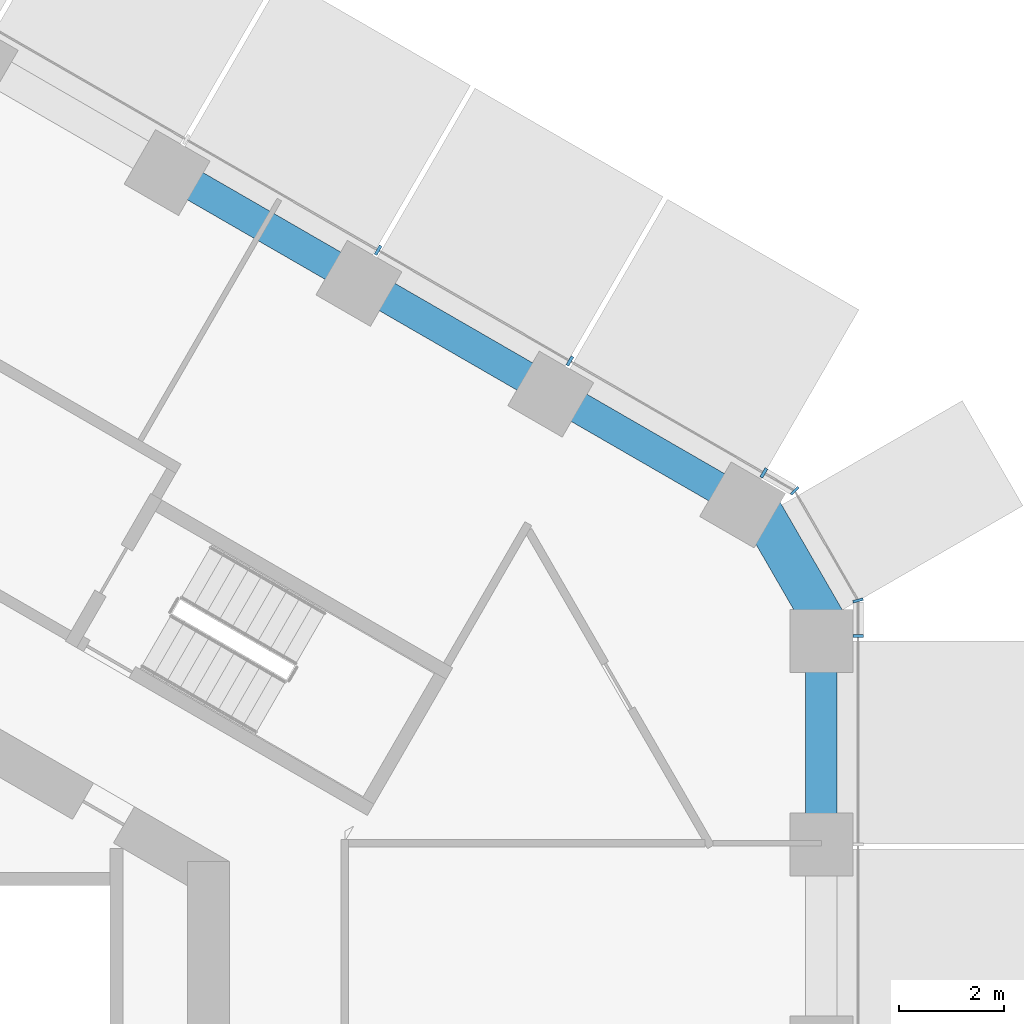
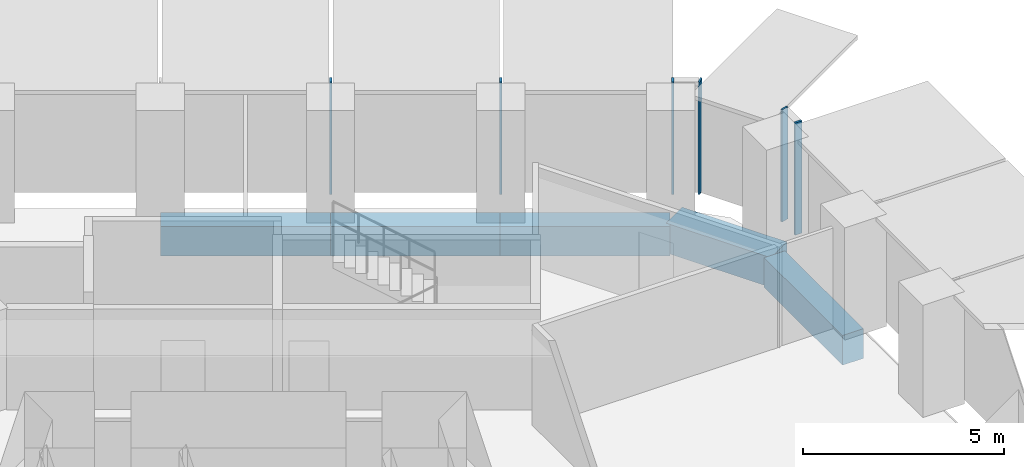
# One storey, part 6 of 19: 6 members, 5 beams, 3 elements without a shape of their own.
"""IFC4 building model written with IfcOpenShell, lengths in metres."""

import ifcopenshell
import ifcopenshell.guid

model = None  # the IFC model being written
_history = None  # IfcOwnerHistory: only IFC2X3 demands one
_inside = {}  # id of a spatial element -> (the spatial element, [elements in it])
_under = {}  # id of a project, library or spatial element -> (it, [spatial elements below it])
_declared = {}  # id of a project -> (the project, [libraries it declares])
_typed = {}  # id of a type object -> (the type object, [elements of that type])
_made_of = {}  # id of a material, layer set ... -> (it, [elements and type objects made of it])


def new_model(schema):
    """Start an empty IFC model of exactly this schema.

    Asked for "IFC4X3", IfcOpenShell would pick the latest addendum, in which some entities
    have other attributes; the version numbers below select the first issue.
    IFC2X3 requires an IfcOwnerHistory on every rooted entity: one is made here for all.
    """
    global model, _history
    if schema == "IFC4X3":
        model = ifcopenshell.file(schema_version=(4, 3, 0, 0))
    else:
        model = ifcopenshell.file(schema=schema)
    _inside.clear()
    _under.clear()
    _declared.clear()
    _typed.clear()
    _made_of.clear()
    _history = None
    if model.schema == "IFC2X3":
        org = make("IfcOrganization", Name="unknown")
        user = make(
            "IfcPersonAndOrganization",
            ThePerson=make("IfcPerson", FamilyName="unknown"),
            TheOrganization=org,
        )
        app = make(
            "IfcApplication",
            ApplicationDeveloper=org,
            Version="unknown",
            ApplicationFullName="unknown",
            ApplicationIdentifier="unknown",
        )
        _history = make(
            "IfcOwnerHistory",
            OwningUser=user,
            OwningApplication=app,
            ChangeAction="ADDED",
            CreationDate=0,
        )
    return model


def make(cls, **values):
    """One entity of the class cls with the attributes given. An attribute that is None is left unset."""
    return model.create_entity(
        cls, **{name: value for name, value in values.items() if value is not None}
    )


def rooted(cls, **values):
    """An entity with a GlobalId (a new one), such as an element, a storey or a relation."""
    return make(cls, GlobalId=ifcopenshell.guid.new(), OwnerHistory=_history, **values)


def si_unit(unit_type, name, prefix=None):
    """IfcSIUnit, for example si_unit("LENGTHUNIT", "METRE", prefix="MILLI")."""
    return make("IfcSIUnit", UnitType=unit_type, Prefix=prefix, Name=name)


def assignment(units):
    """IfcUnitAssignment: the units of a project."""
    return None if units is None else make("IfcUnitAssignment", Units=units)


def point(xyz):
    """IfcCartesianPoint."""
    return None if xyz is None else make("IfcCartesianPoint", Coordinates=xyz)


def direction(xyz):
    """IfcDirection."""
    return None if xyz is None else make("IfcDirection", DirectionRatios=xyz)


def frame(location, z_axis=None, x_axis=None):
    """IfcAxis2Placement3D, a coordinate frame: its origin and axes. An axis left out is left unset."""
    return make(
        "IfcAxis2Placement3D",
        Location=point(location),
        Axis=direction(z_axis),
        RefDirection=direction(x_axis),
    )


def frame_2d(location, x_axis=None):
    """IfcAxis2Placement2D, a coordinate frame in the plane: its origin and x axis."""
    return make(
        "IfcAxis2Placement2D", Location=point(location), RefDirection=direction(x_axis)
    )


def origin():
    """The frame at (0, 0, 0) with its axes left unset."""
    return frame((0.0, 0.0, 0.0))


def origin_2d():
    """The frame at (0, 0) in the plane with its x axis left unset."""
    return frame_2d((0.0, 0.0))


def place(relative_to, where):
    """IfcLocalPlacement: puts the frame where relative to a parent placement (None: the world)."""
    return make(
        "IfcLocalPlacement", PlacementRelTo=relative_to, RelativePlacement=where
    )


def context(
    kind, dimensions, precision=None, world=None, true_north=None, identifier=None
):
    """IfcGeometricRepresentationContext, for example the 3D "Model" context."""
    return make(
        "IfcGeometricRepresentationContext",
        ContextIdentifier=identifier,
        ContextType=kind,
        CoordinateSpaceDimension=dimensions,
        Precision=precision,
        WorldCoordinateSystem=world,
        TrueNorth=true_north,
    )


def subcontext(parent, identifier, kind, view, scale=None):
    """IfcGeometricRepresentationSubContext, for example "Body" below "Model"."""
    return make(
        "IfcGeometricRepresentationSubContext",
        ContextIdentifier=identifier,
        ContextType=kind,
        ParentContext=parent,
        TargetScale=scale,
        TargetView=view,
    )


def project(units=None, contexts=None):
    """IfcProject with its units and contexts."""
    return rooted(
        "IfcProject",
        Name="project",
        RepresentationContexts=contexts,
        UnitsInContext=assignment(units),
    )


def spatial(cls, under=None, at=None, **own):
    """A site, building, storey or space (cls), placed at a placement, below another one or the project."""
    s = rooted(cls, ObjectPlacement=at, **own)
    if under is not None:
        _under.setdefault(under.id(), (under, []))[1].append(s)
    return s


def profile(cls, at=None, kind="AREA", **sizes):
    """A parametric profile (cls). Its sizes go by their IFC names, for example OverallWidth=200.0."""
    return make(cls, ProfileType=kind, Position=at, **sizes)


def rectangle(**sizes):
    """IfcRectangleProfileDef."""
    return profile("IfcRectangleProfileDef", **sizes)


def extrude(swept, where, along, depth):
    """IfcExtrudedAreaSolid: the profile swept, set in the frame where, extruded along a direction by depth."""
    return make(
        "IfcExtrudedAreaSolid",
        SweptArea=swept,
        Position=where,
        ExtrudedDirection=direction(along),
        Depth=depth,
    )


def shape(context_of_items, identifier, shape_type, items):
    """IfcShapeRepresentation: the items that make up one representation, for example the "Body"."""
    return make(
        "IfcShapeRepresentation",
        ContextOfItems=context_of_items,
        RepresentationIdentifier=identifier,
        RepresentationType=shape_type,
        Items=items,
    )


def material(Name=None, Category=None):
    """IfcMaterial."""
    return make("IfcMaterial", Name=Name, Category=Category)


def layer(
    of_material, thickness, ventilated=None, Name=None, Category=None, Priority=None
):
    """IfcMaterialLayer: one layer of a wall or slab, of a material (None: an air gap)."""
    return make(
        "IfcMaterialLayer",
        Material=of_material,
        LayerThickness=thickness,
        IsVentilated=ventilated,
        Name=Name,
        Category=Category,
        Priority=Priority,
    )


def layer_set(layers, Name=None):
    """IfcMaterialLayerSet."""
    return make("IfcMaterialLayerSet", MaterialLayers=layers, LayerSetName=Name)


def material_profile(
    of_material, cross_section, Name=None, Category=None, Priority=None
):
    """IfcMaterialProfile: a cross section and its material."""
    return make(
        "IfcMaterialProfile",
        Name=Name,
        Material=of_material,
        Profile=cross_section,
        Priority=Priority,
        Category=Category,
    )


def profile_set(profiles, Name=None, composite=None):
    """IfcMaterialProfileSet."""
    return make(
        "IfcMaterialProfileSet",
        Name=Name,
        MaterialProfiles=profiles,
        CompositeProfile=composite,
    )


def made_of(thing, what):
    """Note that an element or type object is made of a material, layer set ...; save() writes the relation."""
    if what is not None:
        _made_of.setdefault(what.id(), (what, []))[1].append(thing)
    return thing


def type_object(cls, material=None, **own):
    """A type object (cls), such as IfcWallType, which elements share."""
    return made_of(rooted(cls, **own), material)


def element(
    cls,
    number,
    at=None,
    inside=None,
    cuts=None,
    type_object=None,
    material=None,
    context=None,
    identifier="Body",
    shape_type=None,
    held_by="IfcProductDefinitionShape",
    body=None,
    shapes=None,
    **own,
):
    """One element of the class cls, such as IfcWall. Its Tag is "e" and its number.

    at: its placement. inside: the storey or other place that contains it. cuts: it is an
    opening in that element (IfcRelVoidsElement). A single representation is given by context,
    identifier, shape_type and body (its items); several are given by shapes. held_by: the class
    of the entity that holds the representations. save() writes the other relations.
    """
    e = rooted(cls, Tag="e%d" % number, ObjectPlacement=at, **own)
    if body is not None:
        shapes = [shape(context, identifier, shape_type, body)]
    if shapes is not None:
        e.Representation = make(held_by, Representations=shapes)
    if inside is not None:
        _inside.setdefault(inside.id(), (inside, []))[1].append(e)
    if cuts is not None:
        rooted(
            "IfcRelVoidsElement", RelatingBuildingElement=cuts, RelatedOpeningElement=e
        )
    if type_object is not None:
        _typed.setdefault(type_object.id(), (type_object, []))[1].append(e)
    return made_of(e, material)


def aggregate(whole, parts):
    """IfcRelAggregates: a whole, such as a stair, and the parts it consists of."""
    return rooted("IfcRelAggregates", RelatingObject=whole, RelatedObjects=parts)


def save(model, path):
    """Write the relations noted so far, then the file.

    IfcRelAggregates (storeys below a building ...), IfcRelContainedInSpatialStructure (elements
    in a storey), IfcRelDefinesByType, IfcRelAssociatesMaterial and IfcRelDeclares: one each for
    every whole, place, type object, material and project.
    """
    for whole, parts in _under.values():
        aggregate(whole, parts)
    for where, things in _inside.values():
        rooted(
            "IfcRelContainedInSpatialStructure",
            RelatedElements=things,
            RelatingStructure=where,
        )
    for kind, things in _typed.values():
        rooted("IfcRelDefinesByType", RelatedObjects=things, RelatingType=kind)
    for what, things in _made_of.values():
        rooted("IfcRelAssociatesMaterial", RelatedObjects=things, RelatingMaterial=what)
    for by, libraries in _declared.values():
        rooted("IfcRelDeclares", RelatingContext=by, RelatedDefinitions=libraries)
    model.write(path)


model = new_model("IFC4")

# Units and contexts
model_context = context("Model", 3, precision=1e-05, world=origin(), true_north=direction((0.0, 1.0)))
body_context = subcontext(model_context, "Body", "Model", "MODEL_VIEW")
ifc_project = project(units=[si_unit("LENGTHUNIT", "METRE"), si_unit("AREAUNIT", "SQUARE_METRE"), si_unit("VOLUMEUNIT", "CUBIC_METRE"), si_unit("PLANEANGLEUNIT", "RADIAN"), si_unit("MASSUNIT", "GRAM", prefix="KILO")], contexts=[model_context])

# Site, building, storey
site_placement = place(None, origin())
site = spatial("IfcSite", under=ifc_project, at=site_placement, CompositionType="ELEMENT")
building_placement = place(site_placement, origin())
building = spatial("IfcBuilding", under=site, at=building_placement, Name="Ayvan Gate Tower", CompositionType="ELEMENT")
storey_placement = place(building_placement, frame((0.0, 0.0, 52.699951171875)))
storey = spatial("IfcBuildingStorey", under=building, at=storey_placement, Name="L13", CompositionType="ELEMENT", Elevation=52.699951171875)

# Beams
ifc_material_1 = material(Name="Concrete C40/50", Category="concrete")
ifc_material_profile_1 = material_profile(ifc_material_1, rectangle(XDim=0.800048828125, YDim=0.89990234375, at=origin_2d()), Name="RC 800x900")
ifc_profile_set_1 = profile_set([ifc_material_profile_1], Name="Concrete C40/50")
beam_type_1 = type_object("IfcBeamType", Name="Corner spandrel beam RC 800x900 C40/50", PredefinedType="BEAM", material=ifc_profile_set_1)
beam_1_placement = place(storey_placement, frame((20.97509765625, 9.845947265625, -0.800048828125), z_axis=(-0.50002537861, 0.866010750942, 0.0), x_axis=(-0.866010750942, -0.50002537861, 0.0)))
element("IfcBeam", 1, at=beam_1_placement, inside=storey, type_object=beam_type_1, Name="SB-L13-6", PredefinedType="BEAM", context=body_context, shape_type="SweptSolid", body=[
    extrude(rectangle(XDim=0.800048828125, YDim=0.89990234375, at=origin_2d()), origin(), (0.0, 0.0, 1.0), 2.999755859375),
])
ifc_material_profile_2 = material_profile(ifc_material_1, rectangle(XDim=0.60009765625, YDim=0.89990234375, at=origin_2d()), Name="RC 600x900")
ifc_profile_set_2 = profile_set([ifc_material_profile_2], Name="Concrete C40/50")
beam_type_2 = type_object("IfcBeamType", Name="Spandrel beam RC 600x900 C40/50", PredefinedType="BEAM", material=ifc_profile_set_2)
beam_2_placement = place(storey_placement, frame((20.78466796875, 5.841552734375, -0.800048828125), z_axis=(0.0, 1.0, 0.0), x_axis=(-1.0, 0.0, 0.0)))
element("IfcBeam", 2, at=beam_2_placement, inside=storey, type_object=beam_type_2, Name="SB-L13-5", PredefinedType="BEAM", context=body_context, shape_type="SweptSolid", body=[
    extrude(rectangle(XDim=0.60009765625, YDim=0.89990234375, at=origin_2d()), origin(), (0.0, 0.0, 1.0), 3.894287109375),
])
for number, where, z_axis, x_axis, name in (
    (3, (19.28466796875, 12.333984375, -0.800048828125), (-0.866041823485, 0.499971559166, 0.0), (-0.499971559166, -0.866041823485, 0.0), "SB-L13-7"),
    (4, (15.635498046875, 14.440673828125, -0.800048828125), (-0.866016734951, 0.50001501456, 0.0), (-0.50001501456, -0.866016734951, 0.0), "SB-L13-8"),
):
    element("IfcBeam", number, at=place(storey_placement, frame(where, z_axis=z_axis, x_axis=x_axis)), inside=storey, type_object=beam_type_2, Name=name, PredefinedType="BEAM", context=body_context, shape_type="SweptSolid", body=[
        extrude(rectangle(XDim=0.60009765625, YDim=0.89990234375, at=origin_2d()), origin(), (0.0, 0.0, 1.0), 4.213623046875),
    ])
beam_3_placement = place(storey_placement, frame((11.986328125, 16.547607421875, -0.800048828125), z_axis=(-0.866027338831, 0.499996648386, 0.0), x_axis=(-0.499996648386, -0.866027338831, 0.0)))
element("IfcBeam", 5, at=beam_3_placement, inside=storey, type_object=beam_type_2, Name="SB-L13-9", PredefinedType="BEAM", context=body_context, shape_type="SweptSolid", body=[
    extrude(rectangle(XDim=0.60009765625, YDim=0.89990234375, at=origin_2d()), origin(), (0.0, 0.0, 1.0), 4.21337890625),
])

# Curtain wall, member
ifc_material_2 = material(Name="Bronze anodised aluminium", Category="aluminium")
ifc_layer_1 = layer(ifc_material_2, 0.199951171875)
ifc_layer_set_1 = layer_set([ifc_layer_1], Name="Bronze anodised aluminium")
curtain_wall_type_1 = type_object("IfcCurtainWallType", Name="Stick curtain wall CW-1", PredefinedType="NOTDEFINED", material=ifc_layer_set_1)
curtain_wall_1_placement = place(storey_placement, origin())
curtain_wall_1 = element("IfcCurtainWall", 6, at=curtain_wall_1_placement, inside=storey, type_object=curtain_wall_type_1, Name="Stick curtain wall CW-1 L13", PredefinedType="NOTDEFINED")
ifc_material_profile_3 = material_profile(ifc_material_2, rectangle(XDim=0.199951171875, YDim=0.06005859375, at=origin_2d()), Name="Stick curtain wall CW-1 mullion 200 x 60")
ifc_profile_set_3 = profile_set([ifc_material_profile_3], Name="Bronze anodised aluminium")
member_type_1 = type_object("IfcMemberType", Name="Stick curtain wall CW-1 mullion 200 x 60", PredefinedType="MULLION", material=ifc_profile_set_3)
member_1_placement = place(storey_placement, frame((21.484619140625, 9.781982421875, 0.0), z_axis=(0.0, 0.0, 1.0), x_axis=(1.0, 0.0, 0.0)))
member_1 = element("IfcMember", 7, at=member_1_placement, type_object=member_type_1, Name="CW-1 mullion 6", PredefinedType="MULLION", context=body_context, shape_type="SweptSolid", body=[
    extrude(rectangle(XDim=0.199951171875, YDim=0.06005859375, at=origin_2d()), origin(), (0.0, 0.0, 1.0), 3.400146484375),
])
aggregate(curtain_wall_1, [member_1])

# Curtain wall, members
curtain_wall_2_placement = place(storey_placement, origin())
curtain_wall_2 = element("IfcCurtainWall", 8, at=curtain_wall_2_placement, inside=storey, type_object=curtain_wall_type_1, Name="Stick curtain wall CW-1 L13", PredefinedType="NOTDEFINED")
member_2_placement = place(storey_placement, frame((19.6884765625, 12.892822265625, 0.0), z_axis=(0.0, 0.0, 1.0), x_axis=(0.5, 0.866025403784, 0.0)))
member_2 = element("IfcMember", 9, at=member_2_placement, type_object=member_type_1, Name="CW-1 mullion 1", PredefinedType="MULLION", context=body_context, shape_type="SweptSolid", body=[
    extrude(rectangle(XDim=0.199951171875, YDim=0.06005859375, at=origin_2d()), origin(), (0.0, 0.0, 1.0), 3.400146484375),
])
member_3_placement = place(storey_placement, frame((15.991455078125, 15.02734375, 0.0), z_axis=(0.0, 0.0, 1.0), x_axis=(0.5, 0.866025403784, 0.0)))
member_3 = element("IfcMember", 10, at=member_3_placement, type_object=member_type_1, Name="CW-1 mullion 2", PredefinedType="MULLION", context=body_context, shape_type="SweptSolid", body=[
    extrude(rectangle(XDim=0.199951171875, YDim=0.06005859375, at=origin_2d()), origin(), (0.0, 0.0, 1.0), 3.400146484375),
])
member_4_placement = place(storey_placement, frame((12.334228515625, 17.138916015625, 0.0), z_axis=(0.0, 0.0, 1.0), x_axis=(0.5, 0.866025403784, 0.0)))
member_4 = element("IfcMember", 11, at=member_4_placement, type_object=member_type_1, Name="CW-1 mullion 3", PredefinedType="MULLION", context=body_context, shape_type="SweptSolid", body=[
    extrude(rectangle(XDim=0.199951171875, YDim=0.06005859375, at=origin_2d()), origin(), (0.0, 0.0, 1.0), 3.400146484375),
])
aggregate(curtain_wall_2, [member_2, member_3, member_4])

ifc_layer_2 = layer(ifc_material_2, 0.199951171875)
ifc_layer_set_2 = layer_set([ifc_layer_2], Name="Bronze anodised aluminium")
curtain_wall_type_2 = type_object("IfcCurtainWallType", Name="Stick curtain wall CW-6", PredefinedType="NOTDEFINED", material=ifc_layer_set_2)
curtain_wall_3_placement = place(storey_placement, origin())
curtain_wall_3 = element("IfcCurtainWall", 12, at=curtain_wall_3_placement, inside=storey, type_object=curtain_wall_type_2, Name="Stick curtain wall CW-6 L13", PredefinedType="NOTDEFINED")
ifc_material_profile_4 = material_profile(ifc_material_2, rectangle(XDim=0.199951171875, YDim=0.050048828125, at=origin_2d()), Name="Stick curtain wall CW-6 mullion 200 x 50")
ifc_profile_set_4 = profile_set([ifc_material_profile_4], Name="Bronze anodised aluminium")
member_type_2 = type_object("IfcMemberType", Name="Stick curtain wall CW-6 mullion 200 x 50", PredefinedType="MULLION", material=ifc_profile_set_4)
member_5_placement = place(storey_placement, frame((21.484619140625, 10.4619140625, 0.0), z_axis=(0.0, 0.0, 1.0), x_axis=(0.965925826289, 0.258819045103, 0.0)))
member_5 = element("IfcMember", 13, at=member_5_placement, type_object=member_type_2, Name="CW-6 mullion 2", PredefinedType="MULLION", context=body_context, shape_type="SweptSolid", body=[
    extrude(rectangle(XDim=0.199951171875, YDim=0.050048828125, at=origin_2d()), origin(), (0.0, 0.0, 1.0), 3.400146484375),
])
member_6_placement = place(storey_placement, frame((20.27734375, 12.552978515625, 0.0), z_axis=(0.0, 0.0, 1.0), x_axis=(0.707106781187, 0.707106781187, 0.0)))
member_6 = element("IfcMember", 14, at=member_6_placement, type_object=member_type_2, Name="CW-6 mullion 3", PredefinedType="MULLION", context=body_context, shape_type="SweptSolid", body=[
    extrude(rectangle(XDim=0.199951171875, YDim=0.050048828125, at=origin_2d()), origin(), (0.0, 0.0, 1.0), 3.400146484375),
])
aggregate(curtain_wall_3, [member_5, member_6])

save(model, "model.ifc")
